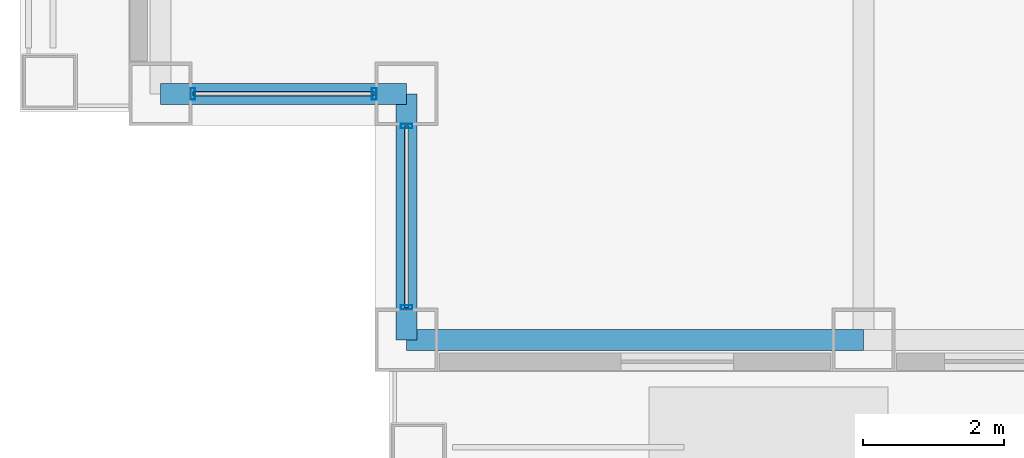
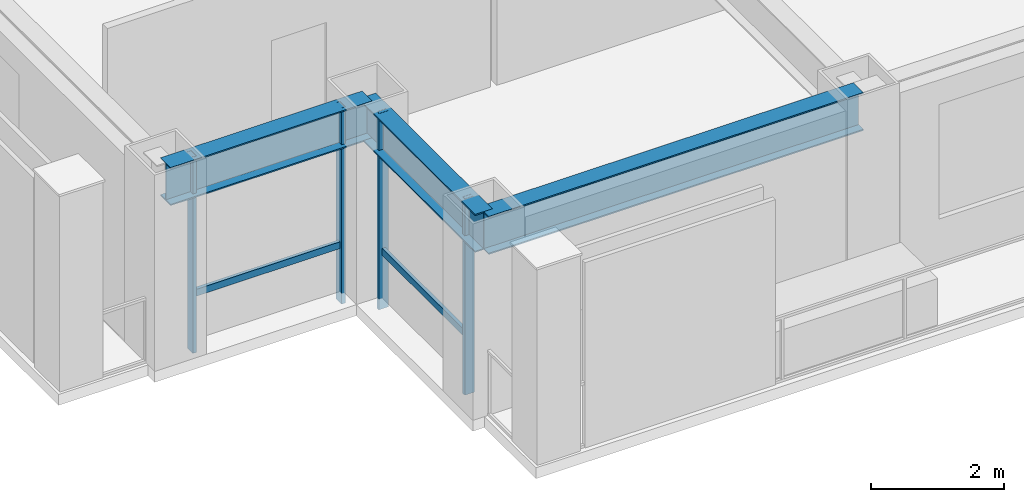
# One storey, part 2 of 29: 6 members, 3 beams, 2 elements without a shape of their own.
"""IFC4 building model written with IfcOpenShell, lengths in metres."""

from ifc_helpers import new_model, si_unit, direction, frame, origin, origin_2d, place, context, subcontext, project, spatial, hollow_rectangle, i_section, extrude, material, layer, layer_set, material_profile, profile_set, type_object, element, aggregate, save


model = new_model("IFC4")

# Units and contexts
model_context = context("Model", 3, precision=1e-05, world=origin(), true_north=direction((0.0, 1.0)))
body_context = subcontext(model_context, "Body", "Model", "MODEL_VIEW")
ifc_project = project(units=[si_unit("LENGTHUNIT", "METRE"), si_unit("AREAUNIT", "SQUARE_METRE"), si_unit("VOLUMEUNIT", "CUBIC_METRE"), si_unit("PLANEANGLEUNIT", "RADIAN"), si_unit("MASSUNIT", "GRAM", prefix="KILO")], contexts=[model_context])

# Site, building, storey
site_placement = place(None, origin())
site = spatial("IfcSite", under=ifc_project, at=site_placement, CompositionType="ELEMENT")
building_placement = place(site_placement, origin())
building = spatial("IfcBuilding", under=site, at=building_placement, Name="Brelmoor Portico Tower", CompositionType="ELEMENT")
storey_placement = place(building_placement, frame((0.0, 0.0, 60.0)))
storey = spatial("IfcBuildingStorey", under=building, at=storey_placement, Name="L15", CompositionType="ELEMENT", Elevation=60.0)

# Beams
ifc_material_1 = material(Name="Steel Q355B", Category="steel")
ifc_material_profile_1 = material_profile(ifc_material_1, i_section(OverallWidth=0.300048828125, OverallDepth=0.699951171875, WebThickness=0.012939453125, FlangeThickness=0.02392578125, at=origin_2d()), Name="HN 700x300x13x24")
ifc_profile_set_1 = profile_set([ifc_material_profile_1], Name="Steel Q355B")
beam_type = type_object("IfcBeamType", Name="BM-SP-700", PredefinedType="SPANDREL", material=ifc_profile_set_1)
beam_placement = place(storey_placement, frame((-21.050048828125, -21.550048828125, 3.050048828125), z_axis=(1.0, 0.0, 0.0), x_axis=(0.0, 1.0, 0.0)))
element("IfcBeam", 1, at=beam_placement, inside=storey, type_object=beam_type, Name="L15 Perimeter Spandrel Beam SP-01", PredefinedType="SPANDREL", context=body_context, shape_type="SweptSolid", body=[
    extrude(i_section(OverallWidth=0.300048828125, OverallDepth=0.699951171875, WebThickness=0.012939453125, FlangeThickness=0.02392578125, at=origin_2d()), origin(), (0.0, 0.0, 1.0), 6.5),
])
for number, where, z_axis, x_axis, name in (
    (2, (-24.550048828125, -18.050048828125, 3.050048828125), (1.0, 0.0, 0.0), (0.0, 1.0, 0.0), "L15 Perimeter Spandrel Beam SP-06"),
    (3, (-21.050048828125, -21.550048828125, 3.050048828125), (0.0, 1.0, 0.0), (-1.0, 0.0, 0.0), "L15 Perimeter Spandrel Beam SP-18"),
):
    element("IfcBeam", number, at=place(storey_placement, frame(where, z_axis=z_axis, x_axis=x_axis)), inside=storey, type_object=beam_type, Name=name, PredefinedType="SPANDREL", context=body_context, shape_type="SweptSolid", body=[
        extrude(i_section(OverallWidth=0.300048828125, OverallDepth=0.699951171875, WebThickness=0.012939453125, FlangeThickness=0.02392578125, at=origin_2d()), origin(), (0.0, 0.0, 1.0), 3.5),
    ])

# Curtain wall, members
ifc_material_2 = material(Name="Anodised Aluminium Alloy 6063-T6", Category="aluminium")
ifc_layer = layer(ifc_material_2, 0.179931640625)
ifc_layer_set = layer_set([ifc_layer], Name="Anodised Aluminium Alloy 6063-T6")
curtain_wall_type = type_object("IfcCurtainWallType", Name="CW-NOTCH-CHAMFER", PredefinedType="NOTDEFINED", material=ifc_layer_set)
curtain_wall_1_placement = place(storey_placement, origin())
curtain_wall_1 = element("IfcCurtainWall", 4, at=curtain_wall_1_placement, inside=storey, type_object=curtain_wall_type, Name="L15 Curtain Wall CWN-L15-SWH", PredefinedType="NOTDEFINED")
ifc_material_profile_2 = material_profile(ifc_material_2, hollow_rectangle(XDim=0.06494140625, YDim=0.1650390625, WallThickness=0.00390625, at=origin_2d()), Name="ALU MULLION 65x165")
ifc_profile_set_2 = profile_set([ifc_material_profile_2], Name="Anodised Aluminium Alloy 6063-T6")
member_type_1 = type_object("IfcMemberType", Name="MB-CW-MULL-165", PredefinedType="MULLION", material=ifc_profile_set_2)
member_1_placement = place(storey_placement, frame((-24.090087890625, -18.050048828125, -0.199951171875), z_axis=(0.0, 0.0, 1.0), x_axis=(1.0, 0.0, 0.0)))
member_1 = element("IfcMember", 5, at=member_1_placement, type_object=member_type_1, Name="CWN-L15-SWH Mullion 00", PredefinedType="MULLION", context=body_context, shape_type="SweptSolid", body=[
    extrude(hollow_rectangle(XDim=0.06494140625, YDim=0.1650390625, WallThickness=0.00390625, at=origin_2d()), origin(), (0.0, 0.0, 1.0), 3.599853515625),
])
member_2_placement = place(storey_placement, frame((-21.510009765625, -18.050048828125, -0.199951171875), z_axis=(0.0, 0.0, 1.0), x_axis=(1.0, 0.0, 0.0)))
member_2 = element("IfcMember", 6, at=member_2_placement, type_object=member_type_1, Name="CWN-L15-SWH Mullion 01", PredefinedType="MULLION", context=body_context, shape_type="SweptSolid", body=[
    extrude(hollow_rectangle(XDim=0.06494140625, YDim=0.1650390625, WallThickness=0.00390625, at=origin_2d()), origin(), (0.0, 0.0, 1.0), 3.599853515625),
])

curtain_wall_2_placement = place(storey_placement, origin())
curtain_wall_2 = element("IfcCurtainWall", 7, at=curtain_wall_2_placement, inside=storey, type_object=curtain_wall_type, Name="L15 Curtain Wall CWN-L15-SWV", PredefinedType="NOTDEFINED")
member_3_placement = place(storey_placement, frame((-21.050048828125, -21.090087890625, -0.199951171875), z_axis=(0.0, 0.0, 1.0), x_axis=(0.0, 1.0, 0.0)))
member_3 = element("IfcMember", 8, at=member_3_placement, type_object=member_type_1, Name="CWN-L15-SWV Mullion 00", PredefinedType="MULLION", context=body_context, shape_type="SweptSolid", body=[
    extrude(hollow_rectangle(XDim=0.06494140625, YDim=0.1650390625, WallThickness=0.00390625, at=origin_2d()), origin(), (0.0, 0.0, 1.0), 3.599853515625),
])
member_4_placement = place(storey_placement, frame((-21.050048828125, -18.510009765625, -0.199951171875), z_axis=(0.0, 0.0, 1.0), x_axis=(0.0, 1.0, 0.0)))
member_4 = element("IfcMember", 9, at=member_4_placement, type_object=member_type_1, Name="CWN-L15-SWV Mullion 01", PredefinedType="MULLION", context=body_context, shape_type="SweptSolid", body=[
    extrude(hollow_rectangle(XDim=0.06494140625, YDim=0.1650390625, WallThickness=0.00390625, at=origin_2d()), origin(), (0.0, 0.0, 1.0), 3.599853515625),
])

# Member
ifc_material_profile_3 = material_profile(ifc_material_2, hollow_rectangle(XDim=0.06005859375, YDim=0.125, WallThickness=0.00341796875, at=origin_2d()), Name="ALU TRANSOM 60x125")
ifc_profile_set_3 = profile_set([ifc_material_profile_3], Name="Anodised Aluminium Alloy 6063-T6")
member_type_2 = type_object("IfcMemberType", Name="MB-CW-TRAN-125", PredefinedType="USERDEFINED", material=ifc_profile_set_3)
member_5_placement = place(storey_placement, frame((-24.090087890625, -18.050048828125, 0.85009765625), z_axis=(1.0, 0.0, 0.0), x_axis=(0.0, 1.0, 0.0)))
member_5 = element("IfcMember", 10, at=member_5_placement, type_object=member_type_2, Name="CWN-L15-SWH Transom 1-00", ObjectType="TRANSOM", PredefinedType="USERDEFINED", context=body_context, shape_type="SweptSolid", body=[
    extrude(hollow_rectangle(XDim=0.06005859375, YDim=0.125, WallThickness=0.00341796875, at=origin_2d()), origin(), (0.0, 0.0, 1.0), 2.580078125),
])

aggregate(curtain_wall_1, [member_1, member_2, member_5])

member_6_placement = place(storey_placement, frame((-21.050048828125, -21.090087890625, 0.85009765625), z_axis=(0.0, 1.0, 0.0), x_axis=(-1.0, 0.0, 0.0)))
member_6 = element("IfcMember", 11, at=member_6_placement, type_object=member_type_2, Name="CWN-L15-SWV Transom 1-00", ObjectType="TRANSOM", PredefinedType="USERDEFINED", context=body_context, shape_type="SweptSolid", body=[
    extrude(hollow_rectangle(XDim=0.06005859375, YDim=0.125, WallThickness=0.00341796875, at=origin_2d()), origin(), (0.0, 0.0, 1.0), 2.580078125),
])

aggregate(curtain_wall_2, [member_3, member_4, member_6])

save(model, "model.ifc")
